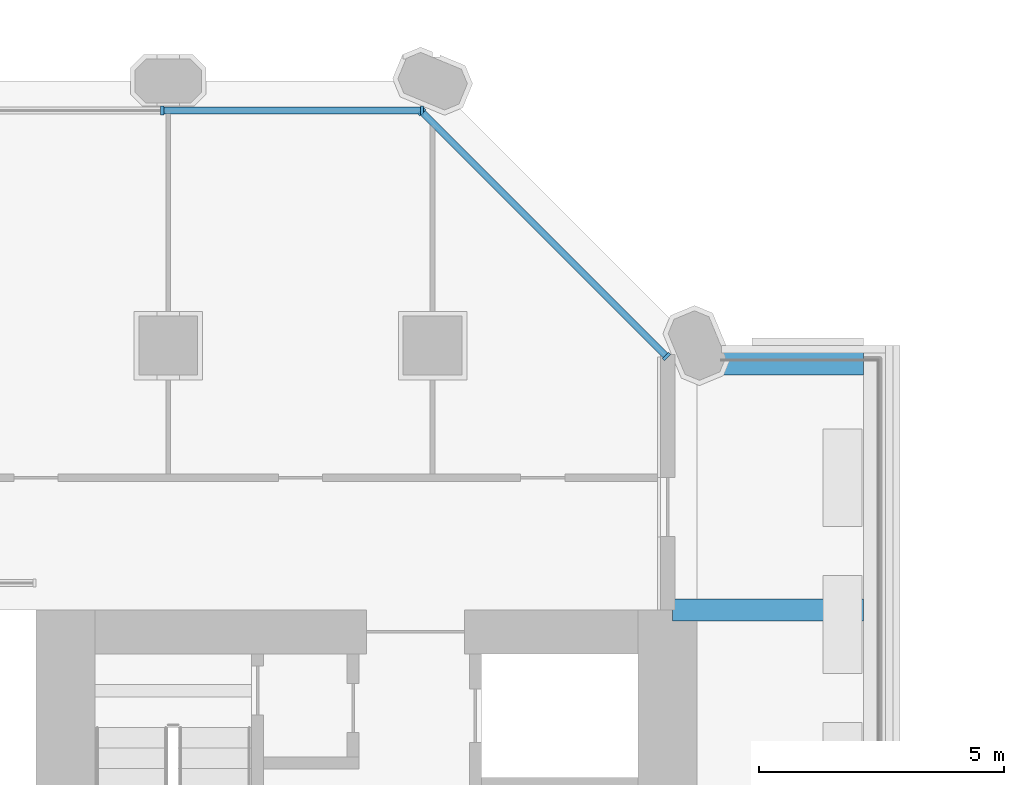
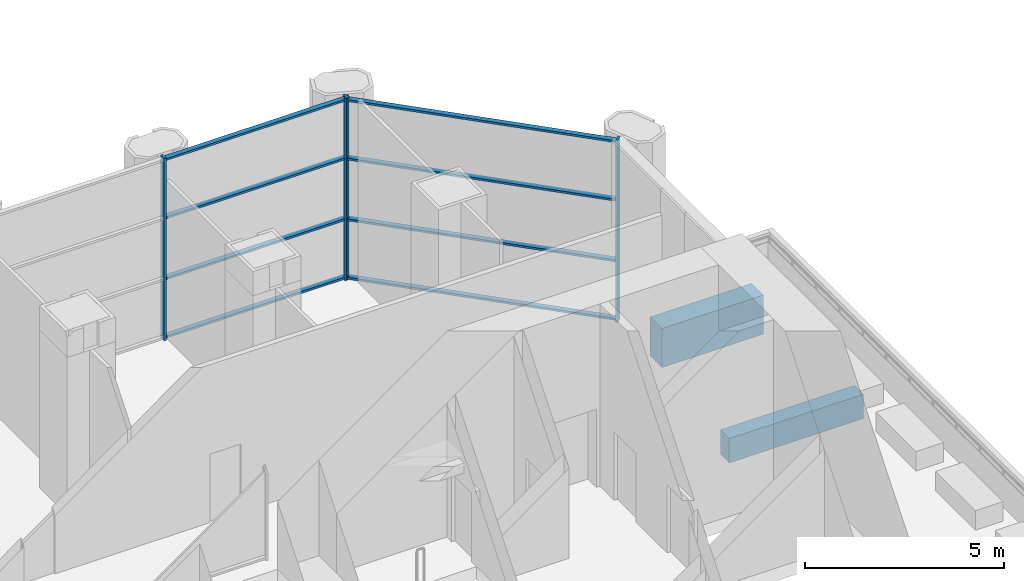
# One storey, part 9 of 34: 12 members, 2 beams, 2 elements without a shape of their own.
"""IFC4 building model written with IfcOpenShell, lengths in metres."""

from ifc_helpers import new_model, si_unit, direction, frame, origin, origin_2d, place, context, subcontext, project, spatial, rectangle, extrude, material, material_profile, profile_set, type_object, element, aggregate, save


model = new_model("IFC4")

# Units and contexts
model_context = context("Model", 3, precision=1e-05, world=origin(), true_north=direction((0.0, 1.0)))
body_context = subcontext(model_context, "Body", "Model", "MODEL_VIEW")
ifc_project = project(units=[si_unit("LENGTHUNIT", "METRE"), si_unit("AREAUNIT", "SQUARE_METRE"), si_unit("VOLUMEUNIT", "CUBIC_METRE"), si_unit("PLANEANGLEUNIT", "RADIAN"), si_unit("MASSUNIT", "GRAM", prefix="KILO")], contexts=[model_context])

# Site, building, storey
site_placement = place(None, origin())
site = spatial("IfcSite", under=ifc_project, at=site_placement, CompositionType="ELEMENT")
building_placement = place(site_placement, origin())
building = spatial("IfcBuilding", under=site, at=building_placement, Name="Tabaq Tower and Sports Hall", CompositionType="ELEMENT")
storey_placement = place(building_placement, frame((0.0, 0.0, 8.39990234375)))
storey = spatial("IfcBuildingStorey", under=building, at=storey_placement, Name="L01", CompositionType="ELEMENT", Elevation=8.39990234375)

# Curtain wall, members
ifc_material_1 = material(Name="Aluminium alloy 6063-T6 framed glazing", Category="aluminium")
curtain_wall_type = type_object("IfcCurtainWallType", Name="CW7 curtain wall", PredefinedType="USERDEFINED", material=ifc_material_1)
curtain_wall_1_placement = place(storey_placement, origin())
curtain_wall_1 = element("IfcCurtainWall", 1, at=curtain_wall_1_placement, inside=storey, type_object=curtain_wall_type, Name="Podium Wall L01 NE", ObjectType="PODIUM WALL", PredefinedType="USERDEFINED")
ifc_material_2 = material(Name="Aluminium alloy 6063-T6", Category="aluminium")
ifc_material_profile_1 = material_profile(ifc_material_2, rectangle(XDim=0.179931640625, YDim=0.06494140625, at=origin_2d()), Name="MULLION 180x65")
ifc_profile_set_1 = profile_set([ifc_material_profile_1], Name="Aluminium alloy 6063-T6")
member_type_1 = type_object("IfcMemberType", Name="CW7 mullion 180x65", PredefinedType="MULLION", material=ifc_profile_set_1)
member_1_placement = place(storey_placement, frame((42.576904296875, 37.574462890625, 0.0), z_axis=(0.0, 0.0, 1.0), x_axis=(-0.707106781187, -0.707106781187, 0.0)))
member_1 = element("IfcMember", 2, at=member_1_placement, type_object=member_type_1, Name="CW7 mullion 1", PredefinedType="MULLION", context=body_context, shape_type="SweptSolid", body=[
    extrude(rectangle(XDim=0.179931640625, YDim=0.06494140625, at=origin_2d()), origin(), (0.0, 0.0, 1.0), 5.60009765625),
])
member_2_placement = place(storey_placement, frame((37.574462890625, 42.576904296875, 0.0), z_axis=(0.0, 0.0, 1.0), x_axis=(-0.707106781187, -0.707106781187, 0.0)))
member_2 = element("IfcMember", 3, at=member_2_placement, type_object=member_type_1, Name="CW7 mullion 2", PredefinedType="MULLION", context=body_context, shape_type="SweptSolid", body=[
    extrude(rectangle(XDim=0.179931640625, YDim=0.06494140625, at=origin_2d()), origin(), (0.0, 0.0, 1.0), 5.60009765625),
])

curtain_wall_2_placement = place(storey_placement, origin())
curtain_wall_2 = element("IfcCurtainWall", 4, at=curtain_wall_2_placement, inside=storey, type_object=curtain_wall_type, Name="Podium Wall L01 N", ObjectType="PODIUM WALL", PredefinedType="USERDEFINED")
member_3_placement = place(storey_placement, frame((37.5810546875, 42.60009765625, 0.0), z_axis=(0.0, 0.0, 1.0), x_axis=(0.0, -1.0, 0.0)))
member_3 = element("IfcMember", 5, at=member_3_placement, type_object=member_type_1, Name="CW7 mullion 1", PredefinedType="MULLION", context=body_context, shape_type="SweptSolid", body=[
    extrude(rectangle(XDim=0.179931640625, YDim=0.06494140625, at=origin_2d()), origin(), (0.0, 0.0, 1.0), 5.60009765625),
])
member_4_placement = place(storey_placement, frame((32.275634765625, 42.60009765625, 0.0), z_axis=(0.0, 0.0, 1.0), x_axis=(0.0, -1.0, 0.0)))
member_4 = element("IfcMember", 6, at=member_4_placement, type_object=member_type_1, Name="CW7 mullion 2", PredefinedType="MULLION", context=body_context, shape_type="SweptSolid", body=[
    extrude(rectangle(XDim=0.179931640625, YDim=0.06494140625, at=origin_2d()), origin(), (0.0, 0.0, 1.0), 5.60009765625),
])

# Member
ifc_material_3 = material(Name="Aluminium alloy 6063-T6", Category="aluminium")
ifc_material_profile_2 = material_profile(ifc_material_3, rectangle(XDim=0.139892578125, YDim=0.06494140625, at=origin_2d()), Name="TRANSOM 140x65")
ifc_profile_set_2 = profile_set([ifc_material_profile_2], Name="Aluminium alloy 6063-T6")
member_type_2 = type_object("IfcMemberType", Name="CW7 transom 140x65", PredefinedType="USERDEFINED", material=ifc_profile_set_2)
member_5_placement = place(storey_placement, frame((42.553955078125, 37.597412109375, 0.070068359375), z_axis=(-0.707106781187, 0.707106781187, 0.0), x_axis=(-0.707106781187, -0.707106781187, 0.0)))
member_5 = element("IfcMember", 7, at=member_5_placement, type_object=member_type_2, Name="CW7 transom 1.1", ObjectType="TRANSOM", PredefinedType="USERDEFINED", context=body_context, shape_type="SweptSolid", body=[
    extrude(rectangle(XDim=0.139892578125, YDim=0.06494140625, at=origin_2d()), origin(), (0.0, 0.0, 1.0), 7.009521484375),
])

member_6_placement = place(storey_placement, frame((42.553955078125, 37.597412109375, 1.86669921875), z_axis=(-0.707106781187, 0.707106781187, 0.0), x_axis=(-0.707106781187, -0.707106781187, 0.0)))
member_6 = element("IfcMember", 8, at=member_6_placement, type_object=member_type_2, Name="CW7 transom 1.2", ObjectType="TRANSOM", PredefinedType="USERDEFINED", context=body_context, shape_type="SweptSolid", body=[
    extrude(rectangle(XDim=0.139892578125, YDim=0.06494140625, at=origin_2d()), origin(), (0.0, 0.0, 1.0), 7.009521484375),
])

member_7_placement = place(storey_placement, frame((42.553955078125, 37.597412109375, 3.7333984375), z_axis=(-0.707106781187, 0.707106781187, 0.0), x_axis=(-0.707106781187, -0.707106781187, 0.0)))
member_7 = element("IfcMember", 9, at=member_7_placement, type_object=member_type_2, Name="CW7 transom 1.3", ObjectType="TRANSOM", PredefinedType="USERDEFINED", context=body_context, shape_type="SweptSolid", body=[
    extrude(rectangle(XDim=0.139892578125, YDim=0.06494140625, at=origin_2d()), origin(), (0.0, 0.0, 1.0), 7.009521484375),
])

member_8_placement = place(storey_placement, frame((42.553955078125, 37.597412109375, 5.530029296875), z_axis=(-0.707106781187, 0.707106781187, 0.0), x_axis=(-0.707106781187, -0.707106781187, 0.0)))
member_8 = element("IfcMember", 10, at=member_8_placement, type_object=member_type_2, Name="CW7 transom 1.4", ObjectType="TRANSOM", PredefinedType="USERDEFINED", context=body_context, shape_type="SweptSolid", body=[
    extrude(rectangle(XDim=0.139892578125, YDim=0.06494140625, at=origin_2d()), origin(), (0.0, 0.0, 1.0), 7.009521484375),
])

aggregate(curtain_wall_1, [member_1, member_2, member_5, member_6, member_7, member_8])

member_9_placement = place(storey_placement, frame((37.548583984375, 42.60009765625, 0.070068359375), z_axis=(-1.0, 0.0, 0.0), x_axis=(0.0, -1.0, 0.0)))
member_9 = element("IfcMember", 11, at=member_9_placement, type_object=member_type_2, Name="CW7 transom 1.1", ObjectType="TRANSOM", PredefinedType="USERDEFINED", context=body_context, shape_type="SweptSolid", body=[
    extrude(rectangle(XDim=0.139892578125, YDim=0.06494140625, at=origin_2d()), origin(), (0.0, 0.0, 1.0), 5.240234375),
])

member_10_placement = place(storey_placement, frame((37.548583984375, 42.60009765625, 1.86669921875), z_axis=(-1.0, 0.0, 0.0), x_axis=(0.0, -1.0, 0.0)))
member_10 = element("IfcMember", 12, at=member_10_placement, type_object=member_type_2, Name="CW7 transom 1.2", ObjectType="TRANSOM", PredefinedType="USERDEFINED", context=body_context, shape_type="SweptSolid", body=[
    extrude(rectangle(XDim=0.139892578125, YDim=0.06494140625, at=origin_2d()), origin(), (0.0, 0.0, 1.0), 5.240234375),
])

member_11_placement = place(storey_placement, frame((37.548583984375, 42.60009765625, 3.7333984375), z_axis=(-1.0, 0.0, 0.0), x_axis=(0.0, -1.0, 0.0)))
member_11 = element("IfcMember", 13, at=member_11_placement, type_object=member_type_2, Name="CW7 transom 1.3", ObjectType="TRANSOM", PredefinedType="USERDEFINED", context=body_context, shape_type="SweptSolid", body=[
    extrude(rectangle(XDim=0.139892578125, YDim=0.06494140625, at=origin_2d()), origin(), (0.0, 0.0, 1.0), 5.240234375),
])

member_12_placement = place(storey_placement, frame((37.548583984375, 42.60009765625, 5.530029296875), z_axis=(-1.0, 0.0, 0.0), x_axis=(0.0, -1.0, 0.0)))
member_12 = element("IfcMember", 14, at=member_12_placement, type_object=member_type_2, Name="CW7 transom 1.4", ObjectType="TRANSOM", PredefinedType="USERDEFINED", context=body_context, shape_type="SweptSolid", body=[
    extrude(rectangle(XDim=0.139892578125, YDim=0.06494140625, at=origin_2d()), origin(), (0.0, 0.0, 1.0), 5.240234375),
])

aggregate(curtain_wall_2, [member_3, member_4, member_9, member_10, member_11, member_12])

# Beams
ifc_material_4 = material(Name="Concrete C40/50", Category="concrete")
ifc_material_profile_3 = material_profile(ifc_material_4, rectangle(XDim=0.60009765625, YDim=1.199951171875, at=origin_2d()), Name="EBT 600x1200")
ifc_profile_set_3 = profile_set([ifc_material_profile_3], Name="Concrete C40/50")
beam_type_1 = type_object("IfcBeamType", Name="Concrete C40/50 PT edge band EBT 600x1200", PredefinedType="BEAM", material=ifc_profile_set_3)
beam_1_placement = place(storey_placement, frame((43.64990234375, 37.5, -1.0), z_axis=(1.0, 0.0, 0.0), x_axis=(0.0, 1.0, 0.0)))
element("IfcBeam", 15, at=beam_1_placement, inside=storey, type_object=beam_type_1, Name="Tray edge band L01", PredefinedType="BEAM", context=body_context, shape_type="SweptSolid", body=[
    extrude(rectangle(XDim=0.60009765625, YDim=1.199951171875, at=origin_2d()), origin(), (0.0, 0.0, 1.0), 2.9501953125),
])
ifc_material_5 = material(Name="Concrete C40/50", Category="concrete")
ifc_material_profile_4 = material_profile(ifc_material_5, rectangle(XDim=0.449951171875, YDim=0.75, at=origin_2d()), Name="CB 450x750")
ifc_profile_set_4 = profile_set([ifc_material_profile_4], Name="Concrete C40/50")
beam_type_2 = type_object("IfcBeamType", Name="PT CANTILEVER BEAM CB 450x750 C40/50", PredefinedType="BEAM", material=ifc_profile_set_4)
beam_2_placement = place(storey_placement, frame((46.60009765625, 32.39990234375, -0.77490234375), z_axis=(-1.0, 0.0, 0.0), x_axis=(0.0, -1.0, 0.0)))
element("IfcBeam", 16, at=beam_2_placement, inside=storey, type_object=beam_type_2, Name="Tray Cantilever Beam L01 T5 span 1", PredefinedType="BEAM", context=body_context, shape_type="SweptSolid", body=[
    extrude(rectangle(XDim=0.449951171875, YDim=0.75, at=origin_2d()), origin(), (0.0, 0.0, 1.0), 3.900146484375),
])

save(model, "model.ifc")
